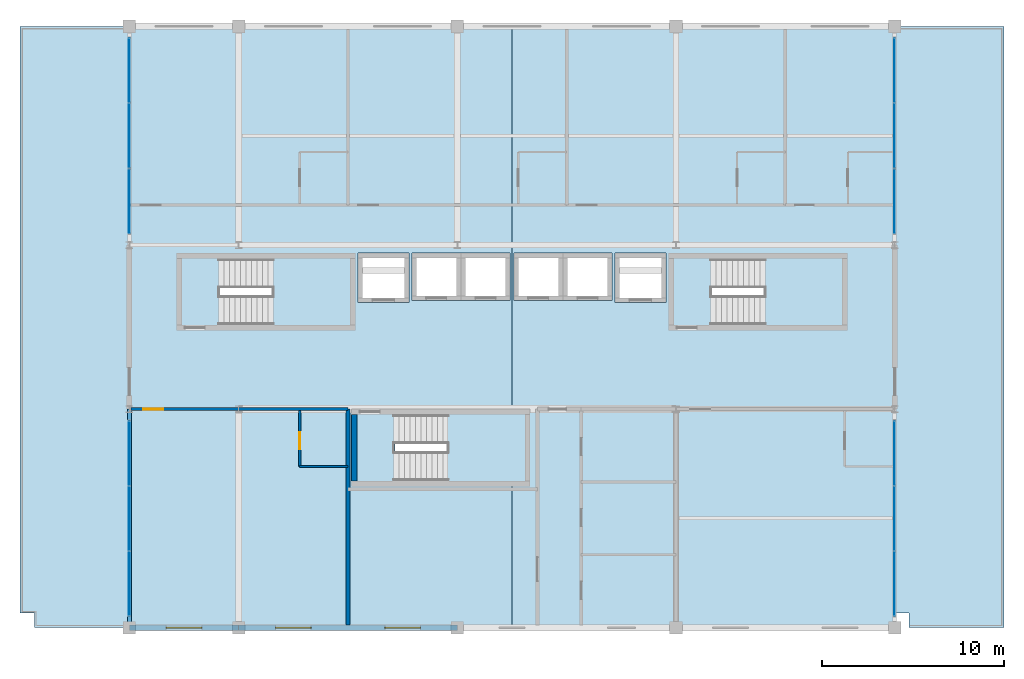
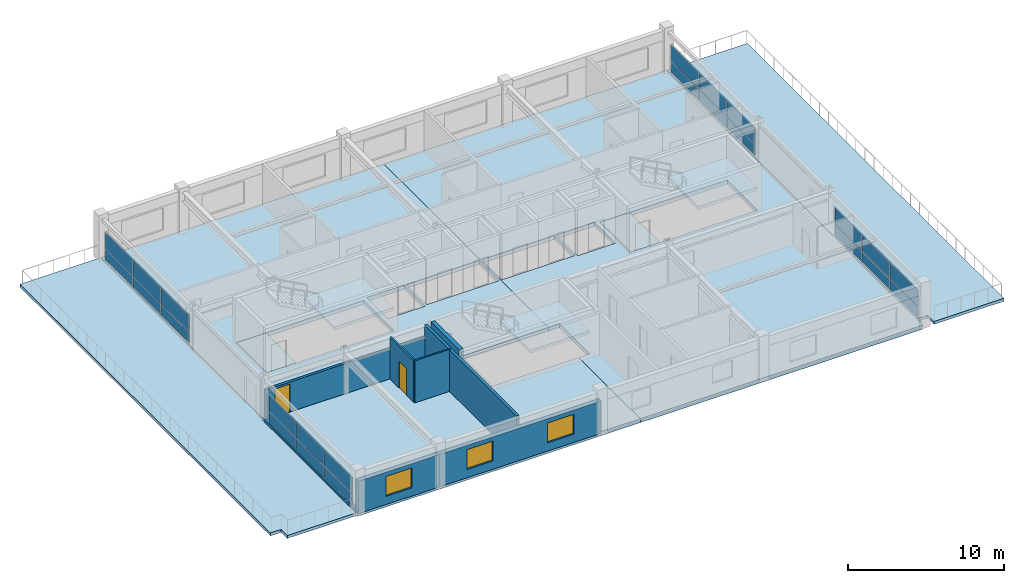
# One storey, part 19 of 24: 24 plates, 10 slabs, 8 walls, 3 windows, 2 doors, 5 openings, 7 elements without a shape of their own.
"""IFC4 building model written with IfcOpenShell, lengths in metres."""

from ifc_helpers import new_model, si_unit, direction, frame, frame_2d, origin, origin_2d, place, context, subcontext, project, spatial, polyline, rectangle, outline, extrude, material, layer, layer_set, type_object, element, fill, aggregate, save


model = new_model("IFC4")

# Units and contexts
model_context = context("Model", 3, precision=1e-05, world=origin(), true_north=direction((0.0, 1.0)))
body_context = subcontext(model_context, "Body", "Model", "MODEL_VIEW")
ifc_project = project(units=[si_unit("LENGTHUNIT", "METRE"), si_unit("AREAUNIT", "SQUARE_METRE"), si_unit("VOLUMEUNIT", "CUBIC_METRE"), si_unit("PLANEANGLEUNIT", "RADIAN"), si_unit("MASSUNIT", "GRAM", prefix="KILO")], contexts=[model_context])

# Site, building, storey
site_placement = place(None, origin())
site = spatial("IfcSite", under=ifc_project, at=site_placement, CompositionType="ELEMENT")
building_placement = place(site_placement, origin())
building = spatial("IfcBuilding", under=site, at=building_placement, Name="Kaldorvane Square Convention Centre", CompositionType="ELEMENT")
storey_placement = place(building_placement, frame((0.0, 0.0, 60.0)))
storey = spatial("IfcBuildingStorey", under=building, at=storey_placement, Name="L14", CompositionType="ELEMENT", Elevation=60.0)

# Curtain wall, plates
ifc_material_1 = material(Name="Anodized Aluminum and Low-E Insulated Glazing", Category="aluminium")
curtain_wall_type_1 = type_object("IfcCurtainWallType", Name="CW-UNI-HTL-A", PredefinedType="USERDEFINED", material=ifc_material_1)
curtain_wall_1_placement = place(storey_placement, origin())
curtain_wall_1 = element("IfcCurtainWall", 1, at=curtain_wall_1_placement, inside=storey, type_object=curtain_wall_type_1, Name="Curtain Wall CW-10 (L14)", ObjectType="UNITISED GLAZING", PredefinedType="USERDEFINED")
ifc_layer_1 = layer(ifc_material_1, 0.0240020751953125)
ifc_layer_set_1 = layer_set([ifc_layer_1], Name="Anodized Aluminum and Low-E Insulated Glazing")
plate_type_1 = type_object("IfcPlateType", Name="CW-PNL-11", PredefinedType="CURTAIN_PANEL", material=ifc_layer_set_1)
plate_1_placement = place(storey_placement, frame((78.0, 86.41499328613281, 0.2050018310546875), z_axis=(0.0, 0.0, 1.0), x_axis=(0.0, 1.0, 0.0)))
plate_1 = element("IfcPlate", 2, at=plate_1_placement, type_object=plate_type_1, Name="CW-10 panel 1.1", PredefinedType="CURTAIN_PANEL", context=body_context, shape_type="SweptSolid", body=[
    extrude(rectangle(XDim=3.5099945068359375, YDim=0.0240020751953125, at=origin_2d()), origin(), (0.0, 0.0, 1.0), 0.8175048828125),
])
plate_2_placement = place(storey_placement, frame((78.0, 86.41499328613281, 1.0774993896484375), z_axis=(0.0, 0.0, 1.0), x_axis=(0.0, 1.0, 0.0)))
plate_2 = element("IfcPlate", 3, at=plate_2_placement, type_object=plate_type_1, Name="CW-10 panel 1.2", PredefinedType="CURTAIN_PANEL", context=body_context, shape_type="SweptSolid", body=[
    extrude(rectangle(XDim=3.5099945068359375, YDim=0.0240020751953125, at=origin_2d()), origin(), (0.0, 0.0, 1.0), 1.277496337890625),
])
plate_3_placement = place(storey_placement, frame((78.0, 90.0, 0.2050018310546875), z_axis=(0.0, 0.0, 1.0), x_axis=(0.0, 1.0, 0.0)))
plate_3 = element("IfcPlate", 4, at=plate_3_placement, type_object=plate_type_1, Name="CW-10 panel 2.1", PredefinedType="CURTAIN_PANEL", context=body_context, shape_type="SweptSolid", body=[
    extrude(rectangle(XDim=3.5399932861328125, YDim=0.0240020751953125, at=origin_2d()), origin(), (0.0, 0.0, 1.0), 0.8175048828125),
])
plate_4_placement = place(storey_placement, frame((78.0, 90.0, 1.0774993896484375), z_axis=(0.0, 0.0, 1.0), x_axis=(0.0, 1.0, 0.0)))
plate_4 = element("IfcPlate", 5, at=plate_4_placement, type_object=plate_type_1, Name="CW-10 panel 2.2", PredefinedType="CURTAIN_PANEL", context=body_context, shape_type="SweptSolid", body=[
    extrude(rectangle(XDim=3.5399932861328125, YDim=0.0240020751953125, at=origin_2d()), origin(), (0.0, 0.0, 1.0), 1.277496337890625),
])
plate_5_placement = place(storey_placement, frame((78.0, 93.58500671386719, 0.2050018310546875), z_axis=(0.0, 0.0, 1.0), x_axis=(0.0, 1.0, 0.0)))
plate_5 = element("IfcPlate", 6, at=plate_5_placement, type_object=plate_type_1, Name="CW-10 panel 3.1", PredefinedType="CURTAIN_PANEL", context=body_context, shape_type="SweptSolid", body=[
    extrude(rectangle(XDim=3.5099945068359375, YDim=0.0240020751953125, at=origin_2d()), origin(), (0.0, 0.0, 1.0), 0.8175048828125),
])
plate_6_placement = place(storey_placement, frame((78.0, 93.58500671386719, 1.0774993896484375), z_axis=(0.0, 0.0, 1.0), x_axis=(0.0, 1.0, 0.0)))
plate_6 = element("IfcPlate", 7, at=plate_6_placement, type_object=plate_type_1, Name="CW-10 panel 3.2", PredefinedType="CURTAIN_PANEL", context=body_context, shape_type="SweptSolid", body=[
    extrude(rectangle(XDim=3.5099945068359375, YDim=0.0240020751953125, at=origin_2d()), origin(), (0.0, 0.0, 1.0), 1.277496337890625),
])
aggregate(curtain_wall_1, [plate_1, plate_2, plate_3, plate_4, plate_5, plate_6])

curtain_wall_2_placement = place(storey_placement, origin())
curtain_wall_2 = element("IfcCurtainWall", 8, at=curtain_wall_2_placement, inside=storey, type_object=curtain_wall_type_1, Name="Curtain Wall CW-10 (L14)", ObjectType="UNITISED GLAZING", PredefinedType="USERDEFINED")
plate_7_placement = place(storey_placement, frame((78.0, 107.41499328613281, 0.2050018310546875), z_axis=(0.0, 0.0, 1.0), x_axis=(0.0, 1.0, 0.0)))
plate_7 = element("IfcPlate", 9, at=plate_7_placement, type_object=plate_type_1, Name="CW-10 panel 1.1", PredefinedType="CURTAIN_PANEL", context=body_context, shape_type="SweptSolid", body=[
    extrude(rectangle(XDim=3.5099945068359375, YDim=0.0240020751953125, at=origin_2d()), origin(), (0.0, 0.0, 1.0), 0.8175048828125),
])
plate_8_placement = place(storey_placement, frame((78.0, 107.41499328613281, 1.0774993896484375), z_axis=(0.0, 0.0, 1.0), x_axis=(0.0, 1.0, 0.0)))
plate_8 = element("IfcPlate", 10, at=plate_8_placement, type_object=plate_type_1, Name="CW-10 panel 1.2", PredefinedType="CURTAIN_PANEL", context=body_context, shape_type="SweptSolid", body=[
    extrude(rectangle(XDim=3.5099945068359375, YDim=0.0240020751953125, at=origin_2d()), origin(), (0.0, 0.0, 1.0), 1.277496337890625),
])
plate_9_placement = place(storey_placement, frame((78.0, 111.0, 0.2050018310546875), z_axis=(0.0, 0.0, 1.0), x_axis=(0.0, 1.0, 0.0)))
plate_9 = element("IfcPlate", 11, at=plate_9_placement, type_object=plate_type_1, Name="CW-10 panel 2.1", PredefinedType="CURTAIN_PANEL", context=body_context, shape_type="SweptSolid", body=[
    extrude(rectangle(XDim=3.5399932861328125, YDim=0.0240020751953125, at=origin_2d()), origin(), (0.0, 0.0, 1.0), 0.8175048828125),
])
plate_10_placement = place(storey_placement, frame((78.0, 111.0, 1.0774993896484375), z_axis=(0.0, 0.0, 1.0), x_axis=(0.0, 1.0, 0.0)))
plate_10 = element("IfcPlate", 12, at=plate_10_placement, type_object=plate_type_1, Name="CW-10 panel 2.2", PredefinedType="CURTAIN_PANEL", context=body_context, shape_type="SweptSolid", body=[
    extrude(rectangle(XDim=3.5399932861328125, YDim=0.0240020751953125, at=origin_2d()), origin(), (0.0, 0.0, 1.0), 1.277496337890625),
])
plate_11_placement = place(storey_placement, frame((78.0, 114.58500671386719, 0.2050018310546875), z_axis=(0.0, 0.0, 1.0), x_axis=(0.0, 1.0, 0.0)))
plate_11 = element("IfcPlate", 13, at=plate_11_placement, type_object=plate_type_1, Name="CW-10 panel 3.1", PredefinedType="CURTAIN_PANEL", context=body_context, shape_type="SweptSolid", body=[
    extrude(rectangle(XDim=3.5099945068359375, YDim=0.0240020751953125, at=origin_2d()), origin(), (0.0, 0.0, 1.0), 0.8175048828125),
])
plate_12_placement = place(storey_placement, frame((78.0, 114.58500671386719, 1.0774993896484375), z_axis=(0.0, 0.0, 1.0), x_axis=(0.0, 1.0, 0.0)))
plate_12 = element("IfcPlate", 14, at=plate_12_placement, type_object=plate_type_1, Name="CW-10 panel 3.2", PredefinedType="CURTAIN_PANEL", context=body_context, shape_type="SweptSolid", body=[
    extrude(rectangle(XDim=3.5099945068359375, YDim=0.0240020751953125, at=origin_2d()), origin(), (0.0, 0.0, 1.0), 1.277496337890625),
])
aggregate(curtain_wall_2, [plate_7, plate_8, plate_9, plate_10, plate_11, plate_12])

curtain_wall_type_2 = type_object("IfcCurtainWallType", Name="CW-UNI-HTL-B", PredefinedType="USERDEFINED", material=ifc_material_1)
curtain_wall_3_placement = place(storey_placement, origin())
curtain_wall_3 = element("IfcCurtainWall", 15, at=curtain_wall_3_placement, inside=storey, type_object=curtain_wall_type_2, Name="Curtain Wall CW-11 (L14)", ObjectType="UNITISED GLAZING", PredefinedType="USERDEFINED")
ifc_layer_2 = layer(ifc_material_1, 0.0460052490234375)
ifc_layer_set_2 = layer_set([ifc_layer_2], Name="Anodized Aluminum and Low-E Insulated Glazing")
plate_type_2 = type_object("IfcPlateType", Name="CW-PNL-12", PredefinedType="CURTAIN_PANEL", material=ifc_layer_set_2)
plate_13_placement = place(storey_placement, frame((36.0, 93.58500671386719, 0.2050018310546875), z_axis=(0.0, 0.0, 1.0), x_axis=(0.0, -1.0, 0.0)))
plate_13 = element("IfcPlate", 16, at=plate_13_placement, type_object=plate_type_2, Name="CW-11 panel 1.1", PredefinedType="CURTAIN_PANEL", context=body_context, shape_type="SweptSolid", body=[
    extrude(rectangle(XDim=3.5099945068359375, YDim=0.0460052490234375, at=origin_2d()), origin(), (0.0, 0.0, 1.0), 0.8175048828125),
])
plate_14_placement = place(storey_placement, frame((36.0, 93.58500671386719, 1.0774993896484375), z_axis=(0.0, 0.0, 1.0), x_axis=(0.0, -1.0, 0.0)))
plate_14 = element("IfcPlate", 17, at=plate_14_placement, type_object=plate_type_2, Name="CW-11 panel 1.2", PredefinedType="CURTAIN_PANEL", context=body_context, shape_type="SweptSolid", body=[
    extrude(rectangle(XDim=3.5099945068359375, YDim=0.0460052490234375, at=origin_2d()), origin(), (0.0, 0.0, 1.0), 1.277496337890625),
])
plate_15_placement = place(storey_placement, frame((36.0, 90.0, 0.2050018310546875), z_axis=(0.0, 0.0, 1.0), x_axis=(0.0, -1.0, 0.0)))
plate_15 = element("IfcPlate", 18, at=plate_15_placement, type_object=plate_type_2, Name="CW-11 panel 2.1", PredefinedType="CURTAIN_PANEL", context=body_context, shape_type="SweptSolid", body=[
    extrude(rectangle(XDim=3.5399932861328125, YDim=0.0460052490234375, at=origin_2d()), origin(), (0.0, 0.0, 1.0), 0.8175048828125),
])
plate_16_placement = place(storey_placement, frame((36.0, 90.0, 1.0774993896484375), z_axis=(0.0, 0.0, 1.0), x_axis=(0.0, -1.0, 0.0)))
plate_16 = element("IfcPlate", 19, at=plate_16_placement, type_object=plate_type_2, Name="CW-11 panel 2.2", PredefinedType="CURTAIN_PANEL", context=body_context, shape_type="SweptSolid", body=[
    extrude(rectangle(XDim=3.5399932861328125, YDim=0.0460052490234375, at=origin_2d()), origin(), (0.0, 0.0, 1.0), 1.277496337890625),
])
plate_17_placement = place(storey_placement, frame((36.0, 86.41499328613281, 0.2050018310546875), z_axis=(0.0, 0.0, 1.0), x_axis=(0.0, -1.0, 0.0)))
plate_17 = element("IfcPlate", 20, at=plate_17_placement, type_object=plate_type_2, Name="CW-11 panel 3.1", PredefinedType="CURTAIN_PANEL", context=body_context, shape_type="SweptSolid", body=[
    extrude(rectangle(XDim=3.5099945068359375, YDim=0.0460052490234375, at=origin_2d()), origin(), (0.0, 0.0, 1.0), 0.8175048828125),
])
plate_18_placement = place(storey_placement, frame((36.0, 86.41499328613281, 1.0774993896484375), z_axis=(0.0, 0.0, 1.0), x_axis=(0.0, -1.0, 0.0)))
plate_18 = element("IfcPlate", 21, at=plate_18_placement, type_object=plate_type_2, Name="CW-11 panel 3.2", PredefinedType="CURTAIN_PANEL", context=body_context, shape_type="SweptSolid", body=[
    extrude(rectangle(XDim=3.5099945068359375, YDim=0.0460052490234375, at=origin_2d()), origin(), (0.0, 0.0, 1.0), 1.277496337890625),
])
aggregate(curtain_wall_3, [plate_13, plate_14, plate_15, plate_16, plate_17, plate_18])

curtain_wall_4_placement = place(storey_placement, origin())
curtain_wall_4 = element("IfcCurtainWall", 22, at=curtain_wall_4_placement, inside=storey, type_object=curtain_wall_type_2, Name="Curtain Wall CW-11 (L14)", ObjectType="UNITISED GLAZING", PredefinedType="USERDEFINED")
plate_19_placement = place(storey_placement, frame((36.0, 114.58500671386719, 0.2050018310546875), z_axis=(0.0, 0.0, 1.0), x_axis=(0.0, -1.0, 0.0)))
plate_19 = element("IfcPlate", 23, at=plate_19_placement, type_object=plate_type_2, Name="CW-11 panel 1.1", PredefinedType="CURTAIN_PANEL", context=body_context, shape_type="SweptSolid", body=[
    extrude(rectangle(XDim=3.5099945068359375, YDim=0.0460052490234375, at=origin_2d()), origin(), (0.0, 0.0, 1.0), 0.8175048828125),
])
plate_20_placement = place(storey_placement, frame((36.0, 114.58500671386719, 1.0774993896484375), z_axis=(0.0, 0.0, 1.0), x_axis=(0.0, -1.0, 0.0)))
plate_20 = element("IfcPlate", 24, at=plate_20_placement, type_object=plate_type_2, Name="CW-11 panel 1.2", PredefinedType="CURTAIN_PANEL", context=body_context, shape_type="SweptSolid", body=[
    extrude(rectangle(XDim=3.5099945068359375, YDim=0.0460052490234375, at=origin_2d()), origin(), (0.0, 0.0, 1.0), 1.277496337890625),
])
plate_21_placement = place(storey_placement, frame((36.0, 111.0, 0.2050018310546875), z_axis=(0.0, 0.0, 1.0), x_axis=(0.0, -1.0, 0.0)))
plate_21 = element("IfcPlate", 25, at=plate_21_placement, type_object=plate_type_2, Name="CW-11 panel 2.1", PredefinedType="CURTAIN_PANEL", context=body_context, shape_type="SweptSolid", body=[
    extrude(rectangle(XDim=3.5399932861328125, YDim=0.0460052490234375, at=origin_2d()), origin(), (0.0, 0.0, 1.0), 0.8175048828125),
])
plate_22_placement = place(storey_placement, frame((36.0, 111.0, 1.0774993896484375), z_axis=(0.0, 0.0, 1.0), x_axis=(0.0, -1.0, 0.0)))
plate_22 = element("IfcPlate", 26, at=plate_22_placement, type_object=plate_type_2, Name="CW-11 panel 2.2", PredefinedType="CURTAIN_PANEL", context=body_context, shape_type="SweptSolid", body=[
    extrude(rectangle(XDim=3.5399932861328125, YDim=0.0460052490234375, at=origin_2d()), origin(), (0.0, 0.0, 1.0), 1.277496337890625),
])
plate_23_placement = place(storey_placement, frame((36.0, 107.41499328613281, 0.2050018310546875), z_axis=(0.0, 0.0, 1.0), x_axis=(0.0, -1.0, 0.0)))
plate_23 = element("IfcPlate", 27, at=plate_23_placement, type_object=plate_type_2, Name="CW-11 panel 3.1", PredefinedType="CURTAIN_PANEL", context=body_context, shape_type="SweptSolid", body=[
    extrude(rectangle(XDim=3.5099945068359375, YDim=0.0460052490234375, at=origin_2d()), origin(), (0.0, 0.0, 1.0), 0.8175048828125),
])
plate_24_placement = place(storey_placement, frame((36.0, 107.41499328613281, 1.0774993896484375), z_axis=(0.0, 0.0, 1.0), x_axis=(0.0, -1.0, 0.0)))
plate_24 = element("IfcPlate", 28, at=plate_24_placement, type_object=plate_type_2, Name="CW-11 panel 3.2", PredefinedType="CURTAIN_PANEL", context=body_context, shape_type="SweptSolid", body=[
    extrude(rectangle(XDim=3.5099945068359375, YDim=0.0460052490234375, at=origin_2d()), origin(), (0.0, 0.0, 1.0), 1.277496337890625),
])
aggregate(curtain_wall_4, [plate_19, plate_20, plate_21, plate_22, plate_23, plate_24])

# Slabs
ifc_material_2 = material(Name="Concrete f'c = 42 MPa (Normalweight)", Category="concrete")
ifc_layer_3 = layer(ifc_material_2, 0.279998779296875)
ifc_layer_set_3 = layer_set([ifc_layer_3], Name="Concrete f'c = 42 MPa (Normalweight)")
slab_type_1 = type_object("IfcSlabType", Name="SL-FLND-280", PredefinedType="FLOOR", material=ifc_layer_set_3)
slab_1_placement = place(storey_placement, frame((0.0, 0.0, -0.279998779296875)))
element("IfcSlab", 29, at=slab_1_placement, inside=storey, type_object=slab_type_1, Name="Tower Exit Stair T1 Floor Landing (L14)", PredefinedType="FLOOR", context=body_context, shape_type="SweptSolid", body=[
    extrude(outline(polyline([(38.779998779296875, 100.49000549316406), (40.97999572753906, 100.49000549316406), (40.97999572753906, 104.3699951171875), (38.779998779296875, 104.3699951171875), (38.779998779296875, 100.49000549316406)])), origin(), (0.0, 0.0, 1.0), 0.279998779296875),
])
slab_2_placement = place(storey_placement, frame((0.0, 0.0, -0.279998779296875)))
element("IfcSlab", 30, at=slab_2_placement, inside=storey, type_object=slab_type_1, Name="Tower Exit Stair T2 Floor Landing (L14)", PredefinedType="FLOOR", context=body_context, shape_type="SweptSolid", body=[
    extrude(outline(polyline([(65.77999877929688, 100.49000549316406), (67.97999572753906, 100.49000549316406), (67.97999572753906, 104.3699951171875), (65.77999877929688, 104.3699951171875), (65.77999877929688, 100.49000549316406)])), origin(), (0.0, 0.0, 1.0), 0.279998779296875),
])
slab_3_placement = place(storey_placement, frame((0.0, 0.0, -0.279998779296875)))
element("IfcSlab", 31, at=slab_3_placement, inside=storey, type_object=slab_type_1, Name="Tower Exit Stair T3 Floor Landing (L14)", PredefinedType="FLOOR", context=body_context, shape_type="SweptSolid", body=[
    extrude(outline(polyline([(48.3800048828125, 91.94000244140625), (50.58000183105469, 91.94000244140625), (50.58000183105469, 95.82000732421875), (48.3800048828125, 95.82000732421875), (48.3800048828125, 91.94000244140625)])), origin(), (0.0, 0.0, 1.0), 0.279998779296875),
])
ifc_layer_4 = layer(ifc_material_2, 0.30999755859375)
ifc_layer_set_4 = layer_set([ifc_layer_4], Name="Concrete f'c = 42 MPa (Normalweight)")
slab_type_2 = type_object("IfcSlabType", Name="SL-HTL-250", PredefinedType="FLOOR", material=ifc_layer_set_4)
slab_4_placement = place(storey_placement, frame((0.0, 0.0, -0.30999755859375)))
element("IfcSlab", 32, at=slab_4_placement, inside=storey, type_object=slab_type_2, Name="Hotel Tower Floor Slab L14-1.1", PredefinedType="FLOOR", context=body_context, shape_type="SweptSolid", body=[
    extrude(outline(polyline([(36.0, 117.0), (57.0, 117.0), (57.0, 95.82000732421875), (48.3800048828125, 95.82000732421875), (48.3800048828125, 91.94000244140625), (57.0, 91.94000244140625), (57.0, 84.0), (36.0, 84.0), (36.0, 117.0)]), holes=[polyline([(38.779998779296875, 104.3699951171875), (38.779998779296875, 100.49000549316406), (48.220001220703125, 100.49000549316406), (48.220001220703125, 104.3699951171875), (38.779998779296875, 104.3699951171875)]), polyline([(48.55000305175781, 104.55000305175781), (48.55000305175781, 101.85000610351562), (51.350006103515625, 101.85000610351562), (51.350006103515625, 104.55000305175781), (48.55000305175781, 104.55000305175781)]), polyline([(51.5, 104.55000305175781), (51.5, 101.94999694824219), (54.19999694824219, 101.94999694824219), (56.899993896484375, 101.94999694824219), (56.899993896484375, 104.55000305175781), (54.19999694824219, 104.55000305175781), (51.5, 104.55000305175781)])]), origin(), (0.0, 0.0, 1.0), 0.30999755859375),
])
slab_5_placement = place(storey_placement, frame((0.0, 0.0, -0.30999755859375)))
element("IfcSlab", 33, at=slab_5_placement, inside=storey, type_object=slab_type_2, Name="Hotel Tower Floor Slab L14-2.1", PredefinedType="FLOOR", context=body_context, shape_type="SweptSolid", body=[
    extrude(outline(polyline([(78.0, 117.0), (78.0, 84.0), (57.0, 84.0), (57.0, 91.94000244140625), (57.82000732421875, 91.94000244140625), (57.82000732421875, 95.82000732421875), (57.0, 95.82000732421875), (57.0, 117.0), (78.0, 117.0)]), holes=[polyline([(65.77999877929688, 104.3699951171875), (65.77999877929688, 100.49000549316406), (75.22000122070312, 100.49000549316406), (75.22000122070312, 104.3699951171875), (65.77999877929688, 104.3699951171875)]), polyline([(62.649993896484375, 104.55000305175781), (62.649993896484375, 101.85000610351562), (65.44999694824219, 101.85000610351562), (65.44999694824219, 104.55000305175781), (62.649993896484375, 104.55000305175781)]), polyline([(57.100006103515625, 104.55000305175781), (57.100006103515625, 101.94999694824219), (59.80000305175781, 101.94999694824219), (62.5, 101.94999694824219), (62.5, 104.55000305175781), (59.80000305175781, 104.55000305175781), (57.100006103515625, 104.55000305175781)])]), origin(), (0.0, 0.0, 1.0), 0.30999755859375),
])

# Stair, slab
stair_type = type_object("IfcStairType", Name="ST-DL-1600-3600", PredefinedType="HALF_TURN_STAIR", material=ifc_material_2)
stair_1_placement = place(storey_placement, origin())
stair_1 = element("IfcStair", 34, at=stair_1_placement, inside=storey, type_object=stair_type, Name="Tower Exit Stair T1 (L14)", PredefinedType="HALF_TURN_STAIR")
ifc_layer_5 = layer(ifc_material_2, 0.2400054931640625)
ifc_layer_set_5 = layer_set([ifc_layer_5], Name="Concrete f'c = 42 MPa (Normalweight)")
slab_type_3 = type_object("IfcSlabType", Name="SL-LAND-240", PredefinedType="LANDING", material=ifc_layer_set_5)
slab_6_placement = place(storey_placement, frame((0.0, 0.0, 1.55999755859375)))
slab_6 = element("IfcSlab", 35, at=slab_6_placement, type_object=slab_type_3, Name="Tower Exit Stair T1 Half Landing (L14)", PredefinedType="LANDING", context=body_context, shape_type="SweptSolid", body=[
    extrude(outline(polyline([(43.82000732421875, 100.49000549316406), (48.220001220703125, 100.49000549316406), (48.220001220703125, 104.3699951171875), (43.82000732421875, 104.3699951171875), (43.82000732421875, 100.49000549316406)])), origin(), (0.0, 0.0, 1.0), 0.2400054931640625),
])
aggregate(stair_1, [slab_6])

stair_2_placement = place(storey_placement, origin())
stair_2 = element("IfcStair", 36, at=stair_2_placement, inside=storey, type_object=stair_type, Name="Tower Exit Stair T2 (L14)", PredefinedType="HALF_TURN_STAIR")
slab_7_placement = place(storey_placement, frame((0.0, 0.0, 1.55999755859375)))
slab_7 = element("IfcSlab", 37, at=slab_7_placement, type_object=slab_type_3, Name="Tower Exit Stair T2 Half Landing (L14)", PredefinedType="LANDING", context=body_context, shape_type="SweptSolid", body=[
    extrude(outline(polyline([(70.82000732421875, 100.49000549316406), (75.22000122070312, 100.49000549316406), (75.22000122070312, 104.3699951171875), (70.82000732421875, 104.3699951171875), (70.82000732421875, 100.49000549316406)])), origin(), (0.0, 0.0, 1.0), 0.2400054931640625),
])
aggregate(stair_2, [slab_7])

stair_3_placement = place(storey_placement, origin())
stair_3 = element("IfcStair", 38, at=stair_3_placement, inside=storey, type_object=stair_type, Name="Tower Exit Stair T3 (L14)", PredefinedType="HALF_TURN_STAIR")
slab_8_placement = place(storey_placement, frame((0.0, 0.0, 1.55999755859375)))
slab_8 = element("IfcSlab", 39, at=slab_8_placement, type_object=slab_type_3, Name="Tower Exit Stair T3 Half Landing (L14)", PredefinedType="LANDING", context=body_context, shape_type="SweptSolid", body=[
    extrude(outline(polyline([(53.41999816894531, 91.94000244140625), (57.82000732421875, 91.94000244140625), (57.82000732421875, 95.82000732421875), (53.41999816894531, 95.82000732421875), (53.41999816894531, 91.94000244140625)])), origin(), (0.0, 0.0, 1.0), 0.2400054931640625),
])
aggregate(stair_3, [slab_8])

# Slabs
ifc_layer_6 = layer(ifc_material_2, 0.225006103515625)
ifc_layer_set_6 = layer_set([ifc_layer_6], Name="Concrete f'c = 42 MPa (Normalweight)")
slab_type_4 = type_object("IfcSlabType", Name="SL-TERR-225", PredefinedType="FLOOR", material=ifc_layer_set_6)
slab_9_placement = place(storey_placement, frame((0.0, 0.0, -0.225006103515625)))
element("IfcSlab", 40, at=slab_9_placement, inside=storey, type_object=slab_type_4, Name="West Presidential Terrace Slab (L14)", PredefinedType="FLOOR", context=body_context, shape_type="SweptSolid", body=[
    extrude(outline(polyline([(30.0, 117.0), (36.0, 117.0), (36.0, 84.0), (30.800003051757812, 84.0), (30.800003051757812, 84.80000305175781), (30.0, 84.80000305175781), (30.0, 117.0)])), origin(), (0.0, 0.0, 1.0), 0.225006103515625),
])
slab_10_placement = place(storey_placement, frame((0.0, 0.0, -0.225006103515625)))
element("IfcSlab", 41, at=slab_10_placement, inside=storey, type_object=slab_type_4, Name="East Diplomatic Terrace Slab (L14)", PredefinedType="FLOOR", context=body_context, shape_type="SweptSolid", body=[
    extrude(outline(polyline([(78.0, 117.0), (84.0, 117.0), (84.0, 84.0), (78.80000305175781, 84.0), (78.80000305175781, 84.80000305175781), (78.0, 84.80000305175781), (78.0, 117.0)])), origin(), (0.0, 0.0, 1.0), 0.225006103515625),
])

# Wall, opening, door
ifc_material_3 = material(Name="Fire-Rated Gypsum Board on Acoustic Steel Studs", Category="steel")
ifc_layer_7 = layer(ifc_material_3, 0.125)
ifc_layer_set_7 = layer_set([ifc_layer_7], Name="Fire-Rated Gypsum Board on Acoustic Steel Studs")
wall_type_1 = type_object("IfcWallType", Name="WL-BATH-125", PredefinedType="PARTITIONING", material=ifc_layer_set_7)
wall_1_placement = place(storey_placement, frame((45.350006103515625, 92.85000610351562, 0.0), z_axis=(0.0, 0.0, 1.0), x_axis=(0.0, 1.0, 0.0)))
wall_1 = element("IfcWall", 42, at=wall_1_placement, inside=storey, type_object=wall_type_1, Name="En-Suite 1405 West Wall", PredefinedType="PARTITIONING", context=body_context, shape_type="SweptSolid", body=[
    extrude(rectangle(XDim=3.05999755859375, YDim=0.125, at=frame_2d((1.529998779296875, 0.0))), origin(), (0.0, 0.0, 1.0), 3.2899932861328125),
])
opening_1_placement = place(wall_1_placement, frame((0.9499969482421875, 0.0, 0.0)))
opening_1 = element("IfcOpeningElement", 43, at=opening_1_placement, cuts=wall_1, Name="Opening ID-12", PredefinedType="OPENING", context=body_context, shape_type="SweptSolid", body=[
    extrude(rectangle(XDim=0.9199981689453125, YDim=2.100006103515625, at=frame_2d((0.459991455078125, 1.0500030517578125))), frame((0.0, 0.0774993896484375, 0.0), z_axis=(0.0, -1.0, 0.0), x_axis=(1.0, 0.0, 0.0)), (0.0, 0.0, 1.0), 0.154998779296875),
])
ifc_material_4 = material(Name="Architectural Solid-Core White Oak")
door_type_1 = type_object("IfcDoorType", Name="DR-BATH-0920X2100", OperationType="SINGLE_SWING_RIGHT", PredefinedType="DOOR", material=ifc_material_4)
door_1_placement = place(opening_1_placement, origin())
door_1 = element("IfcDoor", 44, at=door_1_placement, inside=storey, type_object=door_type_1, Name="En-Suite Bathroom 1405 Door", OperationType="SINGLE_SWING_RIGHT", OverallHeight=2.100006103515625, OverallWidth=0.9199981689453125, PredefinedType="DOOR", context=body_context, shape_type="SweptSolid", body=[
    extrude(rectangle(XDim=0.9199981689453125, YDim=2.100006103515625, at=frame_2d((0.459991455078125, 1.0500030517578125))), frame((0.0, 0.024993896484375, 0.0), z_axis=(0.0, -1.0, 0.0), x_axis=(1.0, 0.0, 0.0)), (0.0, 0.0, 1.0), 0.0500030517578125),
])
fill(opening_1, door_1)

# Walls
wall_2_placement = place(storey_placement, frame((45.350006103515625, 92.85000610351562, 0.0), z_axis=(0.0, 0.0, 1.0), x_axis=(1.0, 0.0, 0.0)))
element("IfcWall", 45, at=wall_2_placement, inside=storey, type_object=wall_type_1, Name="En-Suite 1405 South Wall", PredefinedType="PARTITIONING", context=body_context, shape_type="SweptSolid", body=[
    extrude(rectangle(XDim=2.649993896484375, YDim=0.125, at=frame_2d((1.3249969482421875, 0.0))), origin(), (0.0, 0.0, 1.0), 3.2899932861328125),
])
ifc_layer_8 = layer(ifc_material_3, 0.1999969482421875)
ifc_layer_set_8 = layer_set([ifc_layer_8], Name="Fire-Rated Gypsum Board on Acoustic Steel Studs")
wall_type_2 = type_object("IfcWallType", Name="WL-CORR-200", PredefinedType="PARTITIONING", material=ifc_layer_set_8)
wall_3_placement = place(storey_placement, frame((48.0, 84.16000366210938, 0.0), z_axis=(0.0, 0.0, 1.0), x_axis=(0.0, 1.0, 0.0)))
element("IfcWall", 46, at=wall_3_placement, inside=storey, type_object=wall_type_2, Name="Service Block West Wall (L14)", PredefinedType="PARTITIONING", context=body_context, shape_type="SweptSolid", body=[
    extrude(rectangle(XDim=11.839996337890625, YDim=0.1999969482421875, at=frame_2d((5.9199981689453125, 0.0))), origin(), (0.0, 0.0, 1.0), 3.2899932861328125),
])

# Wall, opening, window
ifc_material_5 = material(Name="Concrete f'c = 35 MPa (Normalweight)", Category="concrete")
ifc_layer_9 = layer(ifc_material_5, 0.32000732421875)
ifc_layer_set_9 = layer_set([ifc_layer_9], Name="Concrete f'c = 35 MPa (Normalweight)")
wall_type_3 = type_object("IfcWallType", Name="WL-EXT-320", PredefinedType="STANDARD", material=ifc_layer_set_9)
wall_4_placement = place(storey_placement, frame((36.0, 84.0, 0.0), z_axis=(0.0, 0.0, 1.0), x_axis=(1.0, 0.0, 0.0)))
wall_4 = element("IfcWall", 47, at=wall_4_placement, inside=storey, type_object=wall_type_3, Name="Hotel S Brutalist Facade Wall (L14)", PredefinedType="STANDARD", context=body_context, shape_type="SweptSolid", body=[
    extrude(rectangle(XDim=6.0, YDim=0.32000732421875, at=frame_2d((3.0, 0.0))), origin(), (0.0, 0.0, 1.0), 2.5359954833984375),
])
opening_2_placement = place(wall_4_placement, frame((2.024993896484375, 0.0, 0.649993896484375)))
opening_2 = element("IfcOpeningElement", 48, at=opening_2_placement, cuts=wall_4, Name="Opening W-12", PredefinedType="OPENING", context=body_context, shape_type="SweptSolid", body=[
    extrude(rectangle(XDim=1.9499969482421875, YDim=1.5500030517578125, at=frame_2d((0.975006103515625, 0.774993896484375))), frame((0.0, 0.1750030517578125, 0.0), z_axis=(0.0, -1.0, 0.0), x_axis=(1.0, 0.0, 0.0)), (0.0, 0.0, 1.0), 0.350006103515625),
])
window_type = type_object("IfcWindowType", Name="WN-HTL-1950X1550", PartitioningType="DOUBLE_PANEL_VERTICAL", PredefinedType="WINDOW", material=ifc_material_1)
window_1_placement = place(opening_2_placement, origin())
window_1 = element("IfcWindow", 49, at=window_1_placement, inside=storey, type_object=window_type, Name="Hotel S Window (L14)", OverallHeight=1.5500030517578125, OverallWidth=1.9499969482421875, PartitioningType="DOUBLE_PANEL_VERTICAL", PredefinedType="WINDOW", context=body_context, shape_type="SweptSolid", body=[
    extrude(rectangle(XDim=1.9499969482421875, YDim=1.5500030517578125, at=frame_2d((0.975006103515625, 0.774993896484375))), frame((0.0, 0.029998779296875, 0.0), z_axis=(0.0, -1.0, 0.0), x_axis=(1.0, 0.0, 0.0)), (0.0, 0.0, 1.0), 0.05999755859375),
])
fill(opening_2, window_1)

# Wall, openings, windows
wall_5_placement = place(storey_placement, frame((42.0, 84.0, 0.0), z_axis=(0.0, 0.0, 1.0), x_axis=(1.0, 0.0, 0.0)))
wall_5 = element("IfcWall", 50, at=wall_5_placement, inside=storey, type_object=wall_type_3, Name="Hotel S Brutalist Facade Wall (L14)", PredefinedType="STANDARD", context=body_context, shape_type="SweptSolid", body=[
    extrude(rectangle(XDim=12.0, YDim=0.32000732421875, at=frame_2d((6.0, 0.0))), origin(), (0.0, 0.0, 1.0), 2.5359954833984375),
])
opening_3_placement = place(wall_5_placement, frame((2.024993896484375, 0.0, 0.649993896484375)))
opening_3 = element("IfcOpeningElement", 51, at=opening_3_placement, cuts=wall_5, Name="Opening W-12", PredefinedType="OPENING", context=body_context, shape_type="SweptSolid", body=[
    extrude(rectangle(XDim=1.9499969482421875, YDim=1.5500030517578125, at=frame_2d((0.975006103515625, 0.774993896484375))), frame((0.0, 0.1750030517578125, 0.0), z_axis=(0.0, -1.0, 0.0), x_axis=(1.0, 0.0, 0.0)), (0.0, 0.0, 1.0), 0.350006103515625),
])
opening_4_placement = place(wall_5_placement, frame((8.024993896484375, 0.0, 0.649993896484375)))
opening_4 = element("IfcOpeningElement", 52, at=opening_4_placement, cuts=wall_5, Name="Opening W-12", PredefinedType="OPENING", context=body_context, shape_type="SweptSolid", body=[
    extrude(rectangle(XDim=1.9499969482421875, YDim=1.5500030517578125, at=frame_2d((0.975006103515625, 0.774993896484375))), frame((0.0, 0.1750030517578125, 0.0), z_axis=(0.0, -1.0, 0.0), x_axis=(1.0, 0.0, 0.0)), (0.0, 0.0, 1.0), 0.350006103515625),
])
window_2_placement = place(opening_3_placement, origin())
window_2 = element("IfcWindow", 53, at=window_2_placement, inside=storey, type_object=window_type, Name="Hotel S Window (L14)", OverallHeight=1.5500030517578125, OverallWidth=1.9499969482421875, PartitioningType="DOUBLE_PANEL_VERTICAL", PredefinedType="WINDOW", context=body_context, shape_type="SweptSolid", body=[
    extrude(rectangle(XDim=1.9499969482421875, YDim=1.5500030517578125, at=frame_2d((0.975006103515625, 0.774993896484375))), frame((0.0, 0.029998779296875, 0.0), z_axis=(0.0, -1.0, 0.0), x_axis=(1.0, 0.0, 0.0)), (0.0, 0.0, 1.0), 0.05999755859375),
])
fill(opening_3, window_2)
window_3_placement = place(opening_4_placement, origin())
window_3 = element("IfcWindow", 54, at=window_3_placement, inside=storey, type_object=window_type, Name="Hotel S Window (L14)", OverallHeight=1.5500030517578125, OverallWidth=1.9499969482421875, PartitioningType="DOUBLE_PANEL_VERTICAL", PredefinedType="WINDOW", context=body_context, shape_type="SweptSolid", body=[
    extrude(rectangle(XDim=1.9499969482421875, YDim=1.5500030517578125, at=frame_2d((0.975006103515625, 0.774993896484375))), frame((0.0, 0.029998779296875, 0.0), z_axis=(0.0, -1.0, 0.0), x_axis=(1.0, 0.0, 0.0)), (0.0, 0.0, 1.0), 0.05999755859375),
])
fill(opening_4, window_3)

# Walls
ifc_layer_10 = layer(ifc_material_5, 0.220001220703125)
ifc_layer_set_10 = layer_set([ifc_layer_10], Name="Concrete f'c = 35 MPa (Normalweight)")
wall_type_4 = type_object("IfcWallType", Name="WL-PAR-220", PredefinedType="PARAPET", material=ifc_layer_set_10)
wall_6_placement = place(storey_placement, frame((36.0, 96.0, 0.0), z_axis=(0.0, 0.0, 1.0), x_axis=(0.0, -1.0, 0.0)))
element("IfcWall", 55, at=wall_6_placement, inside=storey, type_object=wall_type_4, Name="Hotel End Curtain-Wall Sill (L14)", PredefinedType="PARAPET", context=body_context, shape_type="SweptSolid", body=[
    extrude(rectangle(XDim=12.0, YDim=0.220001220703125, at=frame_2d((6.0, 0.0))), origin(), (0.0, 0.0, 1.0), 0.1999969482421875),
])
ifc_material_6 = material(Name="Concrete f'c = 55 MPa (Normalweight)", Category="concrete")
ifc_layer_11 = layer(ifc_material_6, 0.3000030517578125)
ifc_layer_set_11 = layer_set([ifc_layer_11], Name="Concrete f'c = 55 MPa (Normalweight)")
wall_type_5 = type_object("IfcWallType", Name="WL-SHAFT-300", PredefinedType="SHEAR", material=ifc_layer_set_11)
wall_7_placement = place(storey_placement, frame((48.350006103515625, 95.69999694824219, 0.0), z_axis=(0.0, 0.0, 1.0), x_axis=(0.0, -1.0, 0.0)))
element("IfcWall", 56, at=wall_7_placement, inside=storey, type_object=wall_type_5, Name="Core Enclosure Wall stair:ST-T3-W (L14)", PredefinedType="SHEAR", context=body_context, shape_type="SweptSolid", body=[
    extrude(rectangle(XDim=3.6399993896484375, YDim=0.3000030517578125, at=frame_2d((1.82000732421875, 0.0))), origin(), (0.0, 0.0, 1.0), 3.600006103515625),
])

# Wall, opening, door
ifc_layer_12 = layer(ifc_material_3, 0.17999267578125)
ifc_layer_set_12 = layer_set([ifc_layer_12], Name="Fire-Rated Gypsum Board on Acoustic Steel Studs")
wall_type_6 = type_object("IfcWallType", Name="WL-UNIT-180", PredefinedType="PARTITIONING", material=ifc_layer_set_12)
wall_8_placement = place(storey_placement, frame((36.08500671386719, 96.0, 0.0), z_axis=(0.0, 0.0, 1.0), x_axis=(1.0, 0.0, 0.0)))
wall_8 = element("IfcWall", 57, at=wall_8_placement, inside=storey, type_object=wall_type_6, Name="Presidential Suite 1405 Corridor Wall", PredefinedType="PARTITIONING", context=body_context, shape_type="SweptSolid", body=[
    extrude(rectangle(XDim=11.914993286132812, YDim=0.17999267578125, at=frame_2d((5.957489013671875, 0.0))), origin(), (0.0, 0.0, 1.0), 2.3589935302734375),
])
opening_5_placement = place(wall_8_placement, frame((0.68499755859375, 0.0, 0.0)))
opening_5 = element("IfcOpeningElement", 58, at=opening_5_placement, cuts=wall_8, Name="Opening ID-11", PredefinedType="OPENING", context=body_context, shape_type="SweptSolid", body=[
    extrude(rectangle(XDim=1.100006103515625, YDim=2.1999969482421875, at=frame_2d((0.5500030517578125, 1.100006103515625))), frame((0.0, 0.1049957275390625, 0.0), z_axis=(0.0, -1.0, 0.0), x_axis=(1.0, 0.0, 0.0)), (0.0, 0.0, 1.0), 0.209991455078125),
])
door_type_2 = type_object("IfcDoorType", Name="DR-SUITE-1100X2200", OperationType="SINGLE_SWING_LEFT", PredefinedType="DOOR", material=ifc_material_4)
door_2_placement = place(opening_5_placement, origin())
door_2 = element("IfcDoor", 59, at=door_2_placement, inside=storey, type_object=door_type_2, Name="Presidential Suite 1405 Entry Door", OperationType="SINGLE_SWING_LEFT", OverallHeight=2.1999969482421875, OverallWidth=1.100006103515625, PredefinedType="DOOR", context=body_context, shape_type="SweptSolid", body=[
    extrude(rectangle(XDim=1.100006103515625, YDim=2.1999969482421875, at=frame_2d((0.5500030517578125, 1.100006103515625))), frame((0.0, 0.024993896484375, 0.0), z_axis=(0.0, -1.0, 0.0), x_axis=(1.0, 0.0, 0.0)), (0.0, 0.0, 1.0), 0.0500030517578125),
])
fill(opening_5, door_2)

save(model, "model.ifc")
